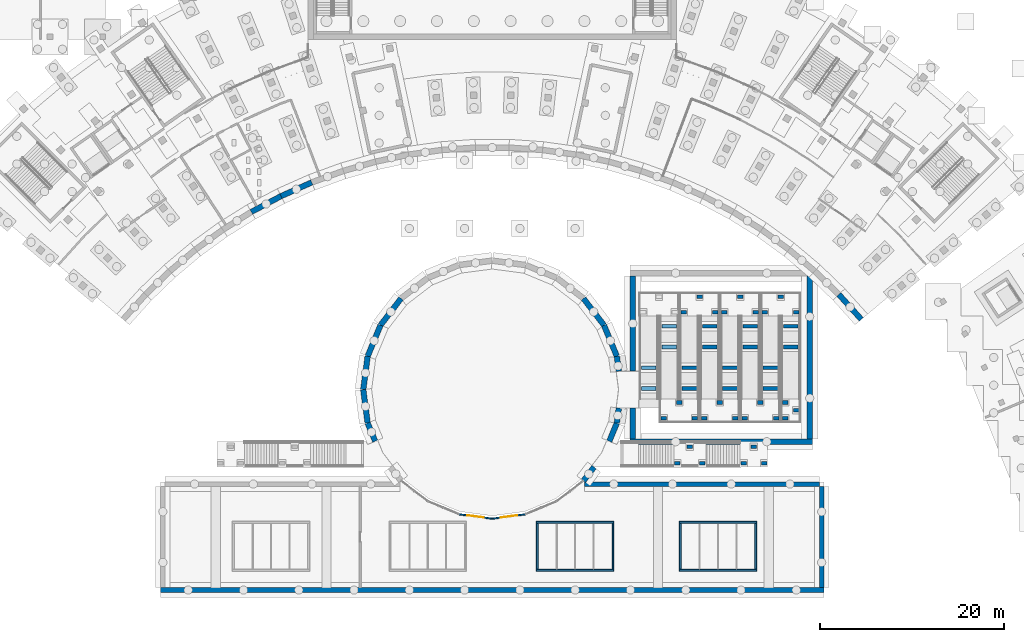
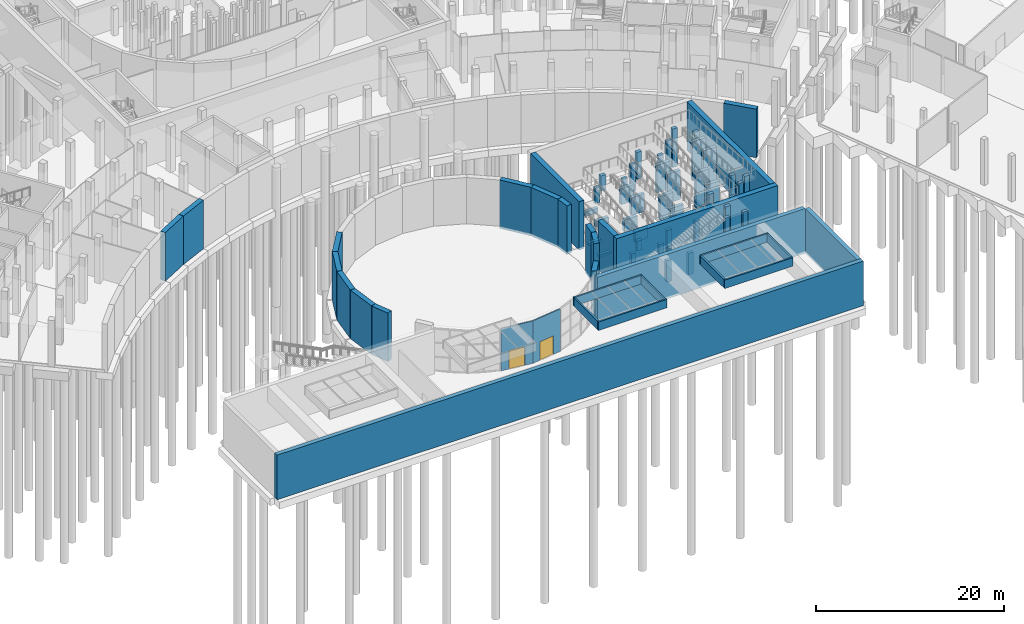
# One storey, part 21 of 66: 74 walls, 2 doors, 2 openings.
"""IFC4 building model written with IfcOpenShell, lengths in metres."""

import ifcopenshell
import ifcopenshell.guid

model = None  # the IFC model being written
_history = None  # IfcOwnerHistory: only IFC2X3 demands one
_inside = {}  # id of a spatial element -> (the spatial element, [elements in it])
_under = {}  # id of a project, library or spatial element -> (it, [spatial elements below it])
_declared = {}  # id of a project -> (the project, [libraries it declares])
_typed = {}  # id of a type object -> (the type object, [elements of that type])
_made_of = {}  # id of a material, layer set ... -> (it, [elements and type objects made of it])


def new_model(schema):
    """Start an empty IFC model of exactly this schema.

    Asked for "IFC4X3", IfcOpenShell would pick the latest addendum, in which some entities
    have other attributes; the version numbers below select the first issue.
    IFC2X3 requires an IfcOwnerHistory on every rooted entity: one is made here for all.
    """
    global model, _history
    if schema == "IFC4X3":
        model = ifcopenshell.file(schema_version=(4, 3, 0, 0))
    else:
        model = ifcopenshell.file(schema=schema)
    _inside.clear()
    _under.clear()
    _declared.clear()
    _typed.clear()
    _made_of.clear()
    _history = None
    if model.schema == "IFC2X3":
        org = make("IfcOrganization", Name="unknown")
        user = make(
            "IfcPersonAndOrganization",
            ThePerson=make("IfcPerson", FamilyName="unknown"),
            TheOrganization=org,
        )
        app = make(
            "IfcApplication",
            ApplicationDeveloper=org,
            Version="unknown",
            ApplicationFullName="unknown",
            ApplicationIdentifier="unknown",
        )
        _history = make(
            "IfcOwnerHistory",
            OwningUser=user,
            OwningApplication=app,
            ChangeAction="ADDED",
            CreationDate=0,
        )
    return model


def make(cls, **values):
    """One entity of the class cls with the attributes given. An attribute that is None is left unset."""
    return model.create_entity(
        cls, **{name: value for name, value in values.items() if value is not None}
    )


def rooted(cls, **values):
    """An entity with a GlobalId (a new one), such as an element, a storey or a relation."""
    return make(cls, GlobalId=ifcopenshell.guid.new(), OwnerHistory=_history, **values)


def si_unit(unit_type, name, prefix=None):
    """IfcSIUnit, for example si_unit("LENGTHUNIT", "METRE", prefix="MILLI")."""
    return make("IfcSIUnit", UnitType=unit_type, Prefix=prefix, Name=name)


def assignment(units):
    """IfcUnitAssignment: the units of a project."""
    return None if units is None else make("IfcUnitAssignment", Units=units)


def point(xyz):
    """IfcCartesianPoint."""
    return None if xyz is None else make("IfcCartesianPoint", Coordinates=xyz)


def direction(xyz):
    """IfcDirection."""
    return None if xyz is None else make("IfcDirection", DirectionRatios=xyz)


def frame(location, z_axis=None, x_axis=None):
    """IfcAxis2Placement3D, a coordinate frame: its origin and axes. An axis left out is left unset."""
    return make(
        "IfcAxis2Placement3D",
        Location=point(location),
        Axis=direction(z_axis),
        RefDirection=direction(x_axis),
    )


def frame_2d(location, x_axis=None):
    """IfcAxis2Placement2D, a coordinate frame in the plane: its origin and x axis."""
    return make(
        "IfcAxis2Placement2D", Location=point(location), RefDirection=direction(x_axis)
    )


def origin():
    """The frame at (0, 0, 0) with its axes left unset."""
    return frame((0.0, 0.0, 0.0))


def place(relative_to, where):
    """IfcLocalPlacement: puts the frame where relative to a parent placement (None: the world)."""
    return make(
        "IfcLocalPlacement", PlacementRelTo=relative_to, RelativePlacement=where
    )


def context(
    kind, dimensions, precision=None, world=None, true_north=None, identifier=None
):
    """IfcGeometricRepresentationContext, for example the 3D "Model" context."""
    return make(
        "IfcGeometricRepresentationContext",
        ContextIdentifier=identifier,
        ContextType=kind,
        CoordinateSpaceDimension=dimensions,
        Precision=precision,
        WorldCoordinateSystem=world,
        TrueNorth=true_north,
    )


def subcontext(parent, identifier, kind, view, scale=None):
    """IfcGeometricRepresentationSubContext, for example "Body" below "Model"."""
    return make(
        "IfcGeometricRepresentationSubContext",
        ContextIdentifier=identifier,
        ContextType=kind,
        ParentContext=parent,
        TargetScale=scale,
        TargetView=view,
    )


def project(units=None, contexts=None):
    """IfcProject with its units and contexts."""
    return rooted(
        "IfcProject",
        Name="project",
        RepresentationContexts=contexts,
        UnitsInContext=assignment(units),
    )


def spatial(cls, under=None, at=None, **own):
    """A site, building, storey or space (cls), placed at a placement, below another one or the project."""
    s = rooted(cls, ObjectPlacement=at, **own)
    if under is not None:
        _under.setdefault(under.id(), (under, []))[1].append(s)
    return s


def profile(cls, at=None, kind="AREA", **sizes):
    """A parametric profile (cls). Its sizes go by their IFC names, for example OverallWidth=200.0."""
    return make(cls, ProfileType=kind, Position=at, **sizes)


def rectangle(**sizes):
    """IfcRectangleProfileDef."""
    return profile("IfcRectangleProfileDef", **sizes)


def extrude(swept, where, along, depth):
    """IfcExtrudedAreaSolid: the profile swept, set in the frame where, extruded along a direction by depth."""
    return make(
        "IfcExtrudedAreaSolid",
        SweptArea=swept,
        Position=where,
        ExtrudedDirection=direction(along),
        Depth=depth,
    )


def shape(context_of_items, identifier, shape_type, items):
    """IfcShapeRepresentation: the items that make up one representation, for example the "Body"."""
    return make(
        "IfcShapeRepresentation",
        ContextOfItems=context_of_items,
        RepresentationIdentifier=identifier,
        RepresentationType=shape_type,
        Items=items,
    )


def material(Name=None, Category=None):
    """IfcMaterial."""
    return make("IfcMaterial", Name=Name, Category=Category)


def layer(
    of_material, thickness, ventilated=None, Name=None, Category=None, Priority=None
):
    """IfcMaterialLayer: one layer of a wall or slab, of a material (None: an air gap)."""
    return make(
        "IfcMaterialLayer",
        Material=of_material,
        LayerThickness=thickness,
        IsVentilated=ventilated,
        Name=Name,
        Category=Category,
        Priority=Priority,
    )


def layer_set(layers, Name=None):
    """IfcMaterialLayerSet."""
    return make("IfcMaterialLayerSet", MaterialLayers=layers, LayerSetName=Name)


def made_of(thing, what):
    """Note that an element or type object is made of a material, layer set ...; save() writes the relation."""
    if what is not None:
        _made_of.setdefault(what.id(), (what, []))[1].append(thing)
    return thing


def type_object(cls, material=None, **own):
    """A type object (cls), such as IfcWallType, which elements share."""
    return made_of(rooted(cls, **own), material)


def element(
    cls,
    number,
    at=None,
    inside=None,
    cuts=None,
    type_object=None,
    material=None,
    context=None,
    identifier="Body",
    shape_type=None,
    held_by="IfcProductDefinitionShape",
    body=None,
    shapes=None,
    **own,
):
    """One element of the class cls, such as IfcWall. Its Tag is "e" and its number.

    at: its placement. inside: the storey or other place that contains it. cuts: it is an
    opening in that element (IfcRelVoidsElement). A single representation is given by context,
    identifier, shape_type and body (its items); several are given by shapes. held_by: the class
    of the entity that holds the representations. save() writes the other relations.
    """
    e = rooted(cls, Tag="e%d" % number, ObjectPlacement=at, **own)
    if body is not None:
        shapes = [shape(context, identifier, shape_type, body)]
    if shapes is not None:
        e.Representation = make(held_by, Representations=shapes)
    if inside is not None:
        _inside.setdefault(inside.id(), (inside, []))[1].append(e)
    if cuts is not None:
        rooted(
            "IfcRelVoidsElement", RelatingBuildingElement=cuts, RelatedOpeningElement=e
        )
    if type_object is not None:
        _typed.setdefault(type_object.id(), (type_object, []))[1].append(e)
    return made_of(e, material)


def fill(opening, filler):
    """IfcRelFillsElement: the door or window that sits in an opening."""
    return rooted(
        "IfcRelFillsElement",
        RelatingOpeningElement=opening,
        RelatedBuildingElement=filler,
    )


def aggregate(whole, parts):
    """IfcRelAggregates: a whole, such as a stair, and the parts it consists of."""
    return rooted("IfcRelAggregates", RelatingObject=whole, RelatedObjects=parts)


def save(model, path):
    """Write the relations noted so far, then the file.

    IfcRelAggregates (storeys below a building ...), IfcRelContainedInSpatialStructure (elements
    in a storey), IfcRelDefinesByType, IfcRelAssociatesMaterial and IfcRelDeclares: one each for
    every whole, place, type object, material and project.
    """
    for whole, parts in _under.values():
        aggregate(whole, parts)
    for where, things in _inside.values():
        rooted(
            "IfcRelContainedInSpatialStructure",
            RelatedElements=things,
            RelatingStructure=where,
        )
    for kind, things in _typed.values():
        rooted("IfcRelDefinesByType", RelatedObjects=things, RelatingType=kind)
    for what, things in _made_of.values():
        rooted("IfcRelAssociatesMaterial", RelatedObjects=things, RelatingMaterial=what)
    for by, libraries in _declared.values():
        rooted("IfcRelDeclares", RelatingContext=by, RelatedDefinitions=libraries)
    model.write(path)


model = new_model("IFC4")

# Units and contexts
model_context = context("Model", 3, precision=1e-05, world=origin(), true_north=direction((0.0, 1.0)))
body_context = subcontext(model_context, "Body", "Model", "MODEL_VIEW")
ifc_project = project(units=[si_unit("LENGTHUNIT", "METRE"), si_unit("AREAUNIT", "SQUARE_METRE"), si_unit("VOLUMEUNIT", "CUBIC_METRE"), si_unit("PLANEANGLEUNIT", "RADIAN"), si_unit("MASSUNIT", "GRAM", prefix="KILO")], contexts=[model_context])

# Site, building, storey
site_placement = place(None, origin())
site = spatial("IfcSite", under=ifc_project, at=site_placement, CompositionType="ELEMENT")
building_placement = place(site_placement, origin())
building = spatial("IfcBuilding", under=site, at=building_placement, Name="Lunette Opera House", CompositionType="ELEMENT")
storey_placement = place(building_placement, frame((0.0, 0.0, -6.0)))
storey = spatial("IfcBuildingStorey", under=building, at=storey_placement, Name="B1", CompositionType="ELEMENT", Elevation=-6.0)

# Wall, opening, door
ifc_material_1 = material(Name="Insulated aluminium sandwich panel", Category="aluminium")
ifc_layer_1 = layer(ifc_material_1, 0.14990234375)
ifc_layer_set_1 = layer_set([ifc_layer_1], Name="Insulated aluminium sandwich panel")
wall_type_1 = type_object("IfcWallType", Name="COURT SCREEN DOOR PIER WALL 150", PredefinedType="SOLIDWALL", material=ifc_layer_set_1)
wall_1_placement = place(storey_placement, frame((99.623046875, 12.47705078125, 0.0), z_axis=(0.0, 0.0, 1.0), x_axis=(-0.991442466905, -0.130544378729, 0.0)))
wall_1 = element("IfcWall", 1, at=wall_1_placement, inside=storey, type_object=wall_type_1, Name="Court Screen Door Pier Wall 150 CSP1 B1", PredefinedType="SOLIDWALL", context=body_context, shape_type="SweptSolid", body=[
    extrude(rectangle(XDim=3.654296875, YDim=0.14990234375, at=frame_2d((1.8271484375, 0.0))), origin(), (0.0, 0.0, 1.0), 5.5),
])
opening_1_placement = place(wall_1_placement, frame((0.927001953125, 0.0, 0.0)))
opening_1 = element("IfcOpeningElement", 2, at=opening_1_placement, cuts=wall_1, Name="Opening SF-D2001", PredefinedType="OPENING", context=body_context, shape_type="SweptSolid", body=[
    extrude(rectangle(XDim=1.800048828125, YDim=2.39990234375, at=frame_2d((0.89990234375, 1.199951171875))), frame((0.0, 0.0869140625, 0.0), z_axis=(0.0, -1.0, 0.0), x_axis=(1.0, 0.0, 0.0)), (0.0, 0.0, 1.0), 0.173828125),
])
ifc_material_2 = material(Name="Powder-coated steel", Category="steel")
door_type = type_object("IfcDoorType", Name="EXIT DOUBLE DOOR 1800 X 2400", OperationType="DOUBLE_DOOR_DOUBLE_SWING", PredefinedType="DOOR", material=ifc_material_2)
door_1_placement = place(opening_1_placement, origin())
door_1 = element("IfcDoor", 3, at=door_1_placement, inside=storey, type_object=door_type, Name="Exit Double Door 1800 X 2400 CSD1 B1", OperationType="DOUBLE_DOOR_DOUBLE_SWING", OverallHeight=2.39990234375, OverallWidth=1.800048828125, PredefinedType="DOOR", context=body_context, shape_type="SweptSolid", body=[
    extrude(rectangle(XDim=1.800048828125, YDim=2.39990234375, at=frame_2d((0.89990234375, 1.199951171875))), frame((0.0, 0.02490234375, 0.0), z_axis=(0.0, -1.0, 0.0), x_axis=(1.0, 0.0, 0.0)), (0.0, 0.0, 1.0), 0.050048828125),
])
fill(opening_1, door_1)

wall_2_placement = place(storey_placement, frame((96.0, 12.0, 0.0), z_axis=(0.0, 0.0, 1.0), x_axis=(-0.991442466905, 0.130544378729, 0.0)))
wall_2 = element("IfcWall", 4, at=wall_2_placement, inside=storey, type_object=wall_type_1, Name="Court Screen Door Pier Wall 150 CSP2 B1", PredefinedType="SOLIDWALL", context=body_context, shape_type="SweptSolid", body=[
    extrude(rectangle(XDim=3.654296875, YDim=0.14990234375, at=frame_2d((1.8271484375, 0.0))), origin(), (0.0, 0.0, 1.0), 5.5),
])
opening_2_placement = place(wall_2_placement, frame((0.927001953125, 0.0, 0.0)))
opening_2 = element("IfcOpeningElement", 5, at=opening_2_placement, cuts=wall_2, Name="Opening SF-D2002", PredefinedType="OPENING", context=body_context, shape_type="SweptSolid", body=[
    extrude(rectangle(XDim=1.800048828125, YDim=2.39990234375, at=frame_2d((0.89990234375, 1.199951171875))), frame((0.0, 0.0869140625, 0.0), z_axis=(0.0, -1.0, 0.0), x_axis=(1.0, 0.0, 0.0)), (0.0, 0.0, 1.0), 0.173828125),
])
door_2_placement = place(opening_2_placement, origin())
door_2 = element("IfcDoor", 6, at=door_2_placement, inside=storey, type_object=door_type, Name="Exit Double Door 1800 X 2400 CSD2 B1", OperationType="DOUBLE_DOOR_DOUBLE_SWING", OverallHeight=2.39990234375, OverallWidth=1.800048828125, PredefinedType="DOOR", context=body_context, shape_type="SweptSolid", body=[
    extrude(rectangle(XDim=1.800048828125, YDim=2.39990234375, at=frame_2d((0.89990234375, 1.199951171875))), frame((0.0, 0.02490234375, 0.0), z_axis=(0.0, -1.0, 0.0), x_axis=(1.0, 0.0, 0.0)), (0.0, 0.0, 1.0), 0.050048828125),
])
fill(opening_2, door_2)

# Walls
ifc_material_3 = material(Name="Concrete C35/45", Category="concrete")
ifc_layer_2 = layer(ifc_material_3, 0.39990234375)
ifc_layer_set_2 = layer_set([ifc_layer_2], Name="Concrete C35/45")
wall_type_2 = type_object("IfcWallType", Name="RAMP PIER WALL 400", PredefinedType="SOLIDWALL", material=ifc_layer_set_2)
wall_3_placement = place(storey_placement, frame((115.800048828125, 18.0, 0.0), z_axis=(0.0, 0.0, 1.0), x_axis=(1.0, 0.0, 0.0)))
element("IfcWall", 7, at=wall_3_placement, inside=storey, type_object=wall_type_2, Name="Bearing pier FS2-L1-P1", PredefinedType="SOLIDWALL", context=body_context, shape_type="SweptSolid", body=[
    extrude(rectangle(XDim=0.599853515625, YDim=0.39990234375, at=frame_2d((0.2998046875, 0.0))), origin(), (0.0, 0.0, 1.0), 2.800048828125),
])
for number, where, z_axis, x_axis, name in (
    (8, (118.5, 18.0, 0.0), (0.0, 0.0, 1.0), (1.0, 0.0, 0.0), "Bearing pier FS2-L1-P2"),
    (9, (117.14990234375, 19.800048828125, 0.0), (0.0, 0.0, 1.0), (1.0, 0.0, 0.0), "Bearing pier FS2-L1-P3"),
):
    element("IfcWall", number, at=place(storey_placement, frame(where, z_axis=z_axis, x_axis=x_axis)), inside=storey, type_object=wall_type_2, Name=name, PredefinedType="SOLIDWALL", context=body_context, shape_type="SweptSolid", body=[
        extrude(rectangle(XDim=0.60009765625, YDim=0.39990234375, at=frame_2d((0.300048828125, 0.0))), origin(), (0.0, 0.0, 1.0), 2.800048828125),
    ])
for number, where, z_axis, x_axis, name in (
    (10, (123.0, 18.0, 0.0), (0.0, 0.0, 1.0), (1.0, 0.0, 0.0), "Bearing pier FS2-L2-P1"),
    (11, (125.199951171875, 18.0, 0.0), (0.0, 0.0, 1.0), (1.0, 0.0, 0.0), "Bearing pier FS2-L2-P2"),
):
    element("IfcWall", number, at=place(storey_placement, frame(where, z_axis=z_axis, x_axis=x_axis)), inside=storey, type_object=wall_type_2, Name=name, PredefinedType="SOLIDWALL", context=body_context, shape_type="SweptSolid", body=[
        extrude(rectangle(XDim=0.60009765625, YDim=0.39990234375, at=frame_2d((0.300048828125, 0.0))), origin(), (0.0, 0.0, 1.0), 5.800048828125),
    ])
wall_4_placement = place(storey_placement, frame((124.10009765625, 19.800048828125, 0.0), z_axis=(0.0, 0.0, 1.0), x_axis=(1.0, 0.0, 0.0)))
element("IfcWall", 12, at=wall_4_placement, inside=storey, type_object=wall_type_2, Name="Bearing pier FS2-L2-P3", PredefinedType="SOLIDWALL", context=body_context, shape_type="SweptSolid", body=[
    extrude(rectangle(XDim=0.599853515625, YDim=0.39990234375, at=frame_2d((0.2998046875, 0.0))), origin(), (0.0, 0.0, 1.0), 5.800048828125),
])
for number, where, z_axis, x_axis, name in (
    (13, (112.199951171875, 26.125, -0.45703125), (0.0, 0.0, 1.0), (1.0, 0.0, 0.0), "Bearing pier FR1-R1"),
    (14, (112.199951171875, 28.375, -0.27001953125), (0.0, 0.0, 1.0), (1.0, 0.0, 0.0), "Bearing pier FR1-R2"),
):
    element("IfcWall", number, at=place(storey_placement, frame(where, z_axis=z_axis, x_axis=x_axis)), inside=storey, type_object=wall_type_2, Name=name, PredefinedType="SOLIDWALL", context=body_context, shape_type="SweptSolid", body=[
        extrude(rectangle(XDim=1.60009765625, YDim=0.39990234375, at=frame_2d((0.800048828125, 0.0))), origin(), (0.0, 0.0, 1.0), 0.300048828125),
    ])
wall_5_placement = place(storey_placement, frame((114.39990234375, 32.875, 0.0), z_axis=(0.0, 0.0, 1.0), x_axis=(1.0, 0.0, 0.0)))
element("IfcWall", 15, at=wall_5_placement, inside=storey, type_object=wall_type_2, Name="Bearing pier FR2-R1", PredefinedType="SOLIDWALL", context=body_context, shape_type="SweptSolid", body=[
    extrude(rectangle(XDim=1.60009765625, YDim=0.39990234375, at=frame_2d((0.800048828125, 0.0))), origin(), (0.0, 0.0, 1.0), 0.593017578125),
])
wall_6_placement = place(storey_placement, frame((114.39990234375, 30.625, 0.0), z_axis=(0.0, 0.0, 1.0), x_axis=(1.0, 0.0, 0.0)))
element("IfcWall", 16, at=wall_6_placement, inside=storey, type_object=wall_type_2, Name="Bearing pier FR2-R2", PredefinedType="SOLIDWALL", context=body_context, shape_type="SweptSolid", body=[
    extrude(rectangle(XDim=1.60009765625, YDim=0.39990234375, at=frame_2d((0.800048828125, 0.0))), origin(), (0.0, 0.0, 1.0), 0.780029296875),
])
wall_7_placement = place(storey_placement, frame((114.300048828125, 22.89990234375, 0.0), z_axis=(0.0, 0.0, 1.0), x_axis=(1.0, 0.0, 0.0)))
element("IfcWall", 17, at=wall_7_placement, inside=storey, type_object=wall_type_2, Name="Bearing pier FR2-L-P1", PredefinedType="SOLIDWALL", context=body_context, shape_type="SweptSolid", body=[
    extrude(rectangle(XDim=0.599853515625, YDim=0.39990234375, at=frame_2d((0.2998046875, 0.0))), origin(), (0.0, 0.0, 1.0), 1.25),
])
for number, where, z_axis, x_axis, name in (
    (18, (117.699951171875, 22.89990234375, 0.0), (0.0, 0.0, 1.0), (1.0, 0.0, 0.0), "Bearing pier FR2-L-P2"),
    (19, (116.0, 24.60009765625, 0.0), (0.0, 0.0, 1.0), (1.0, 0.0, 0.0), "Bearing pier FR2-L-P3"),
):
    element("IfcWall", number, at=place(storey_placement, frame(where, z_axis=z_axis, x_axis=x_axis)), inside=storey, type_object=wall_type_2, Name=name, PredefinedType="SOLIDWALL", context=body_context, shape_type="SweptSolid", body=[
        extrude(rectangle(XDim=0.60009765625, YDim=0.39990234375, at=frame_2d((0.300048828125, 0.0))), origin(), (0.0, 0.0, 1.0), 1.25),
    ])
wall_8_placement = place(storey_placement, frame((116.60009765625, 26.125, 0.0), z_axis=(0.0, 0.0, 1.0), x_axis=(1.0, 0.0, 0.0)))
element("IfcWall", 20, at=wall_8_placement, inside=storey, type_object=wall_type_2, Name="Bearing pier FR3-R1", PredefinedType="SOLIDWALL", context=body_context, shape_type="SweptSolid", body=[
    extrude(rectangle(XDim=1.599853515625, YDim=0.39990234375, at=frame_2d((0.7998046875, 0.0))), origin(), (0.0, 0.0, 1.0), 1.343017578125),
])
wall_9_placement = place(storey_placement, frame((116.60009765625, 28.375, 0.0), z_axis=(0.0, 0.0, 1.0), x_axis=(1.0, 0.0, 0.0)))
element("IfcWall", 21, at=wall_9_placement, inside=storey, type_object=wall_type_2, Name="Bearing pier FR3-R2", PredefinedType="SOLIDWALL", context=body_context, shape_type="SweptSolid", body=[
    extrude(rectangle(XDim=1.599853515625, YDim=0.39990234375, at=frame_2d((0.7998046875, 0.0))), origin(), (0.0, 0.0, 1.0), 1.530029296875),
])
for number, where, z_axis, x_axis, name in (
    (22, (116.5, 34.39990234375, 0.0), (0.0, 0.0, 1.0), (1.0, 0.0, 0.0), "Bearing pier FR3-L-P1"),
    (23, (119.89990234375, 34.39990234375, 0.0), (0.0, 0.0, 1.0), (1.0, 0.0, 0.0), "Bearing pier FR3-L-P2"),
    (24, (118.199951171875, 36.10009765625, 0.0), (0.0, 0.0, 1.0), (1.0, 0.0, 0.0), "Bearing pier FR3-L-P3"),
):
    element("IfcWall", number, at=place(storey_placement, frame(where, z_axis=z_axis, x_axis=x_axis)), inside=storey, type_object=wall_type_2, Name=name, PredefinedType="SOLIDWALL", context=body_context, shape_type="SweptSolid", body=[
        extrude(rectangle(XDim=0.60009765625, YDim=0.39990234375, at=frame_2d((0.300048828125, 0.0))), origin(), (0.0, 0.0, 1.0), 2.0),
    ])
wall_10_placement = place(storey_placement, frame((118.800048828125, 32.875, 0.0), z_axis=(0.0, 0.0, 1.0), x_axis=(1.0, 0.0, 0.0)))
element("IfcWall", 25, at=wall_10_placement, inside=storey, type_object=wall_type_2, Name="Bearing pier FR4-R1", PredefinedType="SOLIDWALL", context=body_context, shape_type="SweptSolid", body=[
    extrude(rectangle(XDim=1.599853515625, YDim=0.39990234375, at=frame_2d((0.7998046875, 0.0))), origin(), (0.0, 0.0, 1.0), 2.093017578125),
])
wall_11_placement = place(storey_placement, frame((118.800048828125, 30.625, 0.0), z_axis=(0.0, 0.0, 1.0), x_axis=(1.0, 0.0, 0.0)))
element("IfcWall", 26, at=wall_11_placement, inside=storey, type_object=wall_type_2, Name="Bearing pier FR4-R2", PredefinedType="SOLIDWALL", context=body_context, shape_type="SweptSolid", body=[
    extrude(rectangle(XDim=1.599853515625, YDim=0.39990234375, at=frame_2d((0.7998046875, 0.0))), origin(), (0.0, 0.0, 1.0), 2.280029296875),
])
wall_12_placement = place(storey_placement, frame((118.699951171875, 22.89990234375, 0.0), z_axis=(0.0, 0.0, 1.0), x_axis=(1.0, 0.0, 0.0)))
element("IfcWall", 27, at=wall_12_placement, inside=storey, type_object=wall_type_2, Name="Bearing pier FR4-L-P1", PredefinedType="SOLIDWALL", context=body_context, shape_type="SweptSolid", body=[
    extrude(rectangle(XDim=0.60009765625, YDim=0.39990234375, at=frame_2d((0.300048828125, 0.0))), origin(), (0.0, 0.0, 1.0), 2.75),
])
wall_13_placement = place(storey_placement, frame((122.10009765625, 22.89990234375, 0.0), z_axis=(0.0, 0.0, 1.0), x_axis=(1.0, 0.0, 0.0)))
element("IfcWall", 28, at=wall_13_placement, inside=storey, type_object=wall_type_2, Name="Bearing pier FR4-L-P2", PredefinedType="SOLIDWALL", context=body_context, shape_type="SweptSolid", body=[
    extrude(rectangle(XDim=0.599853515625, YDim=0.39990234375, at=frame_2d((0.2998046875, 0.0))), origin(), (0.0, 0.0, 1.0), 2.75),
])
wall_14_placement = place(storey_placement, frame((120.39990234375, 24.60009765625, 0.0), z_axis=(0.0, 0.0, 1.0), x_axis=(1.0, 0.0, 0.0)))
element("IfcWall", 29, at=wall_14_placement, inside=storey, type_object=wall_type_2, Name="Bearing pier FR4-L-P3", PredefinedType="SOLIDWALL", context=body_context, shape_type="SweptSolid", body=[
    extrude(rectangle(XDim=0.60009765625, YDim=0.39990234375, at=frame_2d((0.300048828125, 0.0))), origin(), (0.0, 0.0, 1.0), 2.75),
])
wall_15_placement = place(storey_placement, frame((121.0, 26.125, 0.0), z_axis=(0.0, 0.0, 1.0), x_axis=(1.0, 0.0, 0.0)))
element("IfcWall", 30, at=wall_15_placement, inside=storey, type_object=wall_type_2, Name="Bearing pier FR5-R1", PredefinedType="SOLIDWALL", context=body_context, shape_type="SweptSolid", body=[
    extrude(rectangle(XDim=1.60009765625, YDim=0.39990234375, at=frame_2d((0.800048828125, 0.0))), origin(), (0.0, 0.0, 1.0), 2.843017578125),
])
wall_16_placement = place(storey_placement, frame((121.0, 28.375, 0.0), z_axis=(0.0, 0.0, 1.0), x_axis=(1.0, 0.0, 0.0)))
element("IfcWall", 31, at=wall_16_placement, inside=storey, type_object=wall_type_2, Name="Bearing pier FR5-R2", PredefinedType="SOLIDWALL", context=body_context, shape_type="SweptSolid", body=[
    extrude(rectangle(XDim=1.60009765625, YDim=0.39990234375, at=frame_2d((0.800048828125, 0.0))), origin(), (0.0, 0.0, 1.0), 3.030029296875),
])
wall_17_placement = place(storey_placement, frame((120.89990234375, 34.39990234375, 0.0), z_axis=(0.0, 0.0, 1.0), x_axis=(1.0, 0.0, 0.0)))
element("IfcWall", 32, at=wall_17_placement, inside=storey, type_object=wall_type_2, Name="Bearing pier FR5-L-P1", PredefinedType="SOLIDWALL", context=body_context, shape_type="SweptSolid", body=[
    extrude(rectangle(XDim=0.60009765625, YDim=0.39990234375, at=frame_2d((0.300048828125, 0.0))), origin(), (0.0, 0.0, 1.0), 3.5),
])
for number, where, z_axis, x_axis, name in (
    (33, (124.300048828125, 34.39990234375, 0.0), (0.0, 0.0, 1.0), (1.0, 0.0, 0.0), "Bearing pier FR5-L-P2"),
    (34, (122.60009765625, 36.10009765625, 0.0), (0.0, 0.0, 1.0), (1.0, 0.0, 0.0), "Bearing pier FR5-L-P3"),
):
    element("IfcWall", number, at=place(storey_placement, frame(where, z_axis=z_axis, x_axis=x_axis)), inside=storey, type_object=wall_type_2, Name=name, PredefinedType="SOLIDWALL", context=body_context, shape_type="SweptSolid", body=[
        extrude(rectangle(XDim=0.599853515625, YDim=0.39990234375, at=frame_2d((0.2998046875, 0.0))), origin(), (0.0, 0.0, 1.0), 3.5),
    ])
wall_18_placement = place(storey_placement, frame((123.199951171875, 32.875, 0.0), z_axis=(0.0, 0.0, 1.0), x_axis=(1.0, 0.0, 0.0)))
element("IfcWall", 35, at=wall_18_placement, inside=storey, type_object=wall_type_2, Name="Bearing pier FR6-R1", PredefinedType="SOLIDWALL", context=body_context, shape_type="SweptSolid", body=[
    extrude(rectangle(XDim=1.60009765625, YDim=0.39990234375, at=frame_2d((0.800048828125, 0.0))), origin(), (0.0, 0.0, 1.0), 3.593017578125),
])
wall_19_placement = place(storey_placement, frame((123.199951171875, 30.625, 0.0), z_axis=(0.0, 0.0, 1.0), x_axis=(1.0, 0.0, 0.0)))
element("IfcWall", 36, at=wall_19_placement, inside=storey, type_object=wall_type_2, Name="Bearing pier FR6-R2", PredefinedType="SOLIDWALL", context=body_context, shape_type="SweptSolid", body=[
    extrude(rectangle(XDim=1.60009765625, YDim=0.39990234375, at=frame_2d((0.800048828125, 0.0))), origin(), (0.0, 0.0, 1.0), 3.780029296875),
])
wall_20_placement = place(storey_placement, frame((123.10009765625, 22.89990234375, 0.0), z_axis=(0.0, 0.0, 1.0), x_axis=(1.0, 0.0, 0.0)))
element("IfcWall", 37, at=wall_20_placement, inside=storey, type_object=wall_type_2, Name="Bearing pier FR6-L-P1", PredefinedType="SOLIDWALL", context=body_context, shape_type="SweptSolid", body=[
    extrude(rectangle(XDim=0.599853515625, YDim=0.39990234375, at=frame_2d((0.2998046875, 0.0))), origin(), (0.0, 0.0, 1.0), 4.25),
])
wall_21_placement = place(storey_placement, frame((126.5, 22.89990234375, 0.0), z_axis=(0.0, 0.0, 1.0), x_axis=(1.0, 0.0, 0.0)))
element("IfcWall", 38, at=wall_21_placement, inside=storey, type_object=wall_type_2, Name="Bearing pier FR6-L-P2", PredefinedType="SOLIDWALL", context=body_context, shape_type="SweptSolid", body=[
    extrude(rectangle(XDim=0.60009765625, YDim=0.39990234375, at=frame_2d((0.300048828125, 0.0))), origin(), (0.0, 0.0, 1.0), 4.25),
])
wall_22_placement = place(storey_placement, frame((124.800048828125, 24.60009765625, 0.0), z_axis=(0.0, 0.0, 1.0), x_axis=(1.0, 0.0, 0.0)))
element("IfcWall", 39, at=wall_22_placement, inside=storey, type_object=wall_type_2, Name="Bearing pier FR6-L-P3", PredefinedType="SOLIDWALL", context=body_context, shape_type="SweptSolid", body=[
    extrude(rectangle(XDim=0.599853515625, YDim=0.39990234375, at=frame_2d((0.2998046875, 0.0))), origin(), (0.0, 0.0, 1.0), 4.25),
])
wall_23_placement = place(storey_placement, frame((125.39990234375, 26.125, 0.0), z_axis=(0.0, 0.0, 1.0), x_axis=(1.0, 0.0, 0.0)))
element("IfcWall", 40, at=wall_23_placement, inside=storey, type_object=wall_type_2, Name="Bearing pier FR7-R1", PredefinedType="SOLIDWALL", context=body_context, shape_type="SweptSolid", body=[
    extrude(rectangle(XDim=1.60009765625, YDim=0.39990234375, at=frame_2d((0.800048828125, 0.0))), origin(), (0.0, 0.0, 1.0), 4.343017578125),
])
wall_24_placement = place(storey_placement, frame((125.39990234375, 28.375, 0.0), z_axis=(0.0, 0.0, 1.0), x_axis=(1.0, 0.0, 0.0)))
element("IfcWall", 41, at=wall_24_placement, inside=storey, type_object=wall_type_2, Name="Bearing pier FR7-R2", PredefinedType="SOLIDWALL", context=body_context, shape_type="SweptSolid", body=[
    extrude(rectangle(XDim=1.60009765625, YDim=0.39990234375, at=frame_2d((0.800048828125, 0.0))), origin(), (0.0, 0.0, 1.0), 4.530029296875),
])
wall_25_placement = place(storey_placement, frame((125.300048828125, 34.39990234375, 0.0), z_axis=(0.0, 0.0, 1.0), x_axis=(1.0, 0.0, 0.0)))
element("IfcWall", 42, at=wall_25_placement, inside=storey, type_object=wall_type_2, Name="Bearing pier FR7-L-P1", PredefinedType="SOLIDWALL", context=body_context, shape_type="SweptSolid", body=[
    extrude(rectangle(XDim=0.599853515625, YDim=0.39990234375, at=frame_2d((0.2998046875, 0.0))), origin(), (0.0, 0.0, 1.0), 5.0),
])
for number, where, z_axis, x_axis, name in (
    (43, (128.699951171875, 34.39990234375, 0.0), (0.0, 0.0, 1.0), (1.0, 0.0, 0.0), "Bearing pier FR7-L-P2"),
    (44, (127.0, 36.10009765625, 0.0), (0.0, 0.0, 1.0), (1.0, 0.0, 0.0), "Bearing pier FR7-L-P3"),
):
    element("IfcWall", number, at=place(storey_placement, frame(where, z_axis=z_axis, x_axis=x_axis)), inside=storey, type_object=wall_type_2, Name=name, PredefinedType="SOLIDWALL", context=body_context, shape_type="SweptSolid", body=[
        extrude(rectangle(XDim=0.60009765625, YDim=0.39990234375, at=frame_2d((0.300048828125, 0.0))), origin(), (0.0, 0.0, 1.0), 5.0),
    ])
wall_26_placement = place(storey_placement, frame((127.60009765625, 32.875, 0.0), z_axis=(0.0, 0.0, 1.0), x_axis=(1.0, 0.0, 0.0)))
element("IfcWall", 45, at=wall_26_placement, inside=storey, type_object=wall_type_2, Name="Bearing pier FR8-R1", PredefinedType="SOLIDWALL", context=body_context, shape_type="SweptSolid", body=[
    extrude(rectangle(XDim=1.599853515625, YDim=0.39990234375, at=frame_2d((0.7998046875, 0.0))), origin(), (0.0, 0.0, 1.0), 5.093017578125),
])
wall_27_placement = place(storey_placement, frame((127.60009765625, 30.625, 0.0), z_axis=(0.0, 0.0, 1.0), x_axis=(1.0, 0.0, 0.0)))
element("IfcWall", 46, at=wall_27_placement, inside=storey, type_object=wall_type_2, Name="Bearing pier FR8-R2", PredefinedType="SOLIDWALL", context=body_context, shape_type="SweptSolid", body=[
    extrude(rectangle(XDim=1.599853515625, YDim=0.39990234375, at=frame_2d((0.7998046875, 0.0))), origin(), (0.0, 0.0, 1.0), 5.280029296875),
])
for number, where, z_axis, x_axis, name in (
    (47, (127.5, 22.89990234375, 0.0), (0.0, 0.0, 1.0), (1.0, 0.0, 0.0), "Bearing pier FR8-L-P1"),
    (48, (127.5, 24.60009765625, 0.0), (0.0, 0.0, 1.0), (1.0, 0.0, 0.0), "Bearing pier FR8-L-P2"),
    (49, (128.699951171875, 23.75, 0.0), (0.0, 0.0, 1.0), (1.0, 0.0, 0.0), "Bearing pier FR8-L-P3"),
):
    element("IfcWall", number, at=place(storey_placement, frame(where, z_axis=z_axis, x_axis=x_axis)), inside=storey, type_object=wall_type_2, Name=name, PredefinedType="SOLIDWALL", context=body_context, shape_type="SweptSolid", body=[
        extrude(rectangle(XDim=0.60009765625, YDim=0.39990234375, at=frame_2d((0.300048828125, 0.0))), origin(), (0.0, 0.0, 1.0), 5.75),
    ])
ifc_material_4 = material(Name="Concrete C35/45", Category="concrete")
ifc_layer_3 = layer(ifc_material_4, 0.5)
ifc_layer_set_3 = layer_set([ifc_layer_3], Name="Concrete C35/45")
wall_type_3 = type_object("IfcWallType", Name="RC WALL 500", PredefinedType="SHEAR", material=ifc_layer_set_3)
wall_28_placement = place(storey_placement, frame((60.0, 4.25, -0.300048828125), z_axis=(0.0, 0.0, 1.0), x_axis=(1.0, 0.0, 0.0)))
element("IfcWall", 50, at=wall_28_placement, inside=storey, type_object=wall_type_3, Name="wall-SF-B1-CNS-1", PredefinedType="SHEAR", context=body_context, shape_type="SweptSolid", body=[
    extrude(rectangle(XDim=72.0, YDim=0.5, at=frame_2d((36.0, 0.0))), origin(), (0.0, 0.0, 1.0), 5.800048828125),
])
wall_29_placement = place(storey_placement, frame((131.75, 4.5, -0.300048828125), z_axis=(0.0, 0.0, 1.0), x_axis=(0.0, 1.0, 0.0)))
element("IfcWall", 51, at=wall_29_placement, inside=storey, type_object=wall_type_3, Name="wall-SF-B1-CNE-1", PredefinedType="SHEAR", context=body_context, shape_type="SweptSolid", body=[
    extrude(rectangle(XDim=11.0, YDim=0.5, at=frame_2d((5.5, 0.0))), origin(), (0.0, 0.0, 1.0), 5.800048828125),
])
wall_30_placement = place(storey_placement, frame((106.0, 15.75, -0.300048828125), z_axis=(0.0, 0.0, 1.0), x_axis=(1.0, 0.0, 0.0)))
element("IfcWall", 52, at=wall_30_placement, inside=storey, type_object=wall_type_3, Name="wall-SF-B1-CNNE-1", PredefinedType="SHEAR", context=body_context, shape_type="SweptSolid", body=[
    extrude(rectangle(XDim=25.5, YDim=0.5, at=frame_2d((12.75, 0.0))), origin(), (0.0, 0.0, 1.0), 5.800048828125),
])
ifc_material_5 = material(Name="Concrete C40/50", Category="concrete")
ifc_layer_4 = layer(ifc_material_5, 0.60009765625)
ifc_layer_set_4 = layer_set([ifc_layer_4], Name="Concrete C40/50")
wall_type_4 = type_object("IfcWallType", Name="RETAINING WALL 600", PredefinedType="SOLIDWALL", material=ifc_layer_set_4)
wall_31_placement = place(storey_placement, frame((69.85009765625, 45.29296875, -0.300048828125), z_axis=(0.0, 0.0, 1.0), x_axis=(0.882894807692, 0.469570823786, 0.0)))
element("IfcWall", 53, at=wall_31_placement, inside=storey, type_object=wall_type_4, Name="wall-FC-B1-BW06", PredefinedType="SOLIDWALL", context=body_context, shape_type="SweptSolid", body=[
    extrude(rectangle(XDim=3.650390625, YDim=0.60009765625, at=frame_2d((1.8251953125, 0.0))), origin(), (0.0, 0.0, 1.0), 6.300048828125),
])
wall_32_placement = place(storey_placement, frame((73.072998046875, 47.007080078125, -0.300048828125), z_axis=(0.0, 0.0, 1.0), x_axis=(0.913541080102, 0.40674647505, 0.0)))
element("IfcWall", 54, at=wall_32_placement, inside=storey, type_object=wall_type_4, Name="wall-FC-B1-BW07", PredefinedType="SOLIDWALL", context=body_context, shape_type="SweptSolid", body=[
    extrude(rectangle(XDim=3.650634765625, YDim=0.60009765625, at=frame_2d((1.8251953125, 0.0))), origin(), (0.0, 0.0, 1.0), 6.300048828125),
])
wall_33_placement = place(storey_placement, frame((133.62109375, 36.3310546875, -0.300048828125), z_axis=(0.0, 0.0, 1.0), x_axis=(0.669123584083, -0.743151148303, 0.0)))
element("IfcWall", 55, at=wall_33_placement, inside=storey, type_object=wall_type_4, Name="wall-FC-B1-BW25", PredefinedType="SOLIDWALL", context=body_context, shape_type="SweptSolid", body=[
    extrude(rectangle(XDim=3.65087890625, YDim=0.60009765625, at=frame_2d((1.825439453125, 0.0))), origin(), (0.0, 0.0, 1.0), 6.300048828125),
])
wall_34_placement = place(storey_placement, frame((105.89892578125, 35.89892578125, -0.300048828125), z_axis=(0.0, 0.0, 1.0), x_axis=(0.608877449785, -0.793264300938, 0.0)))
element("IfcWall", 56, at=wall_34_placement, inside=storey, type_object=wall_type_4, Name="wall-SF-B1-CW04", PredefinedType="SOLIDWALL", context=body_context, shape_type="SweptSolid", body=[
    extrude(rectangle(XDim=3.654541015625, YDim=0.60009765625, at=frame_2d((1.8271484375, 0.0))), origin(), (0.0, 0.0, 1.0), 6.300048828125),
])
wall_35_placement = place(storey_placement, frame((108.1240234375, 33.0, -0.300048828125), z_axis=(0.0, 0.0, 1.0), x_axis=(0.382717524649, -0.923865410288, 0.0)))
element("IfcWall", 57, at=wall_35_placement, inside=storey, type_object=wall_type_4, Name="wall-SF-B1-CW05", PredefinedType="SOLIDWALL", context=body_context, shape_type="SweptSolid", body=[
    extrude(rectangle(XDim=3.6552734375, YDim=0.60009765625, at=frame_2d((1.82763671875, 0.0))), origin(), (0.0, 0.0, 1.0), 6.300048828125),
])
for number, where, z_axis, x_axis, name in (
    (58, (109.52294921875, 29.623046875, -0.300048828125), (0.0, 0.0, 1.0), (0.130786264329, -0.991410587528, 0.0), "wall-SF-B1-CW06"),
    (59, (109.737060546875, 24.0, -0.300048828125), (0.0, 0.0, 1.0), (-0.130786264329, -0.991410587528, 0.0), "wall-SF-B1-CW07"),
):
    element("IfcWall", number, at=place(storey_placement, frame(where, z_axis=z_axis, x_axis=x_axis)), inside=storey, type_object=wall_type_4, Name=name, PredefinedType="SOLIDWALL", context=body_context, shape_type="SweptSolid", body=[
        extrude(rectangle(XDim=1.63720703125, YDim=0.60009765625, at=frame_2d((0.818603515625, 0.0))), origin(), (0.0, 0.0, 1.0), 6.300048828125),
    ])
wall_36_placement = place(storey_placement, frame((109.52294921875, 22.376953125, -0.300048828125), z_axis=(0.0, 0.0, 1.0), x_axis=(-0.382654078819, -0.923891690602, 0.0)))
element("IfcWall", 60, at=wall_36_placement, inside=storey, type_object=wall_type_4, Name="wall-SF-B1-CW08", PredefinedType="SOLIDWALL", context=body_context, shape_type="SweptSolid", body=[
    extrude(rectangle(XDim=2.139892578125, YDim=0.60009765625, at=frame_2d((1.06982421875, 0.0))), origin(), (0.0, 0.0, 1.0), 6.300048828125),
])
wall_37_placement = place(storey_placement, frame((107.049072265625, 17.60009765625, -0.300048828125), z_axis=(0.0, 0.0, 1.0), x_axis=(-0.608729896814, -0.793377534799, 0.0)))
element("IfcWall", 61, at=wall_37_placement, inside=storey, type_object=wall_type_4, Name="wall-SF-B1-CW09", PredefinedType="SOLIDWALL", context=body_context, shape_type="SweptSolid", body=[
    extrude(rectangle(XDim=1.889404296875, YDim=0.60009765625, at=frame_2d((0.94482421875, 0.0))), origin(), (0.0, 0.0, 1.0), 6.300048828125),
])
wall_38_placement = place(storey_placement, frame((83.2958984375, 20.39990234375, -0.300048828125), z_axis=(0.0, 0.0, 1.0), x_axis=(-0.382654078819, 0.923891690602, 0.0)))
element("IfcWall", 62, at=wall_38_placement, inside=storey, type_object=wall_type_4, Name="wall-SF-B1-CW17", PredefinedType="SOLIDWALL", context=body_context, shape_type="SweptSolid", body=[
    extrude(rectangle(XDim=2.139892578125, YDim=0.60009765625, at=frame_2d((1.06982421875, 0.0))), origin(), (0.0, 0.0, 1.0), 6.300048828125),
])
for number, where, z_axis, x_axis, name in (
    (63, (82.47705078125, 22.376953125, -0.300048828125), (0.0, 0.0, 1.0), (-0.130544378729, 0.991442466905, 0.0), "wall-SF-B1-CW18"),
    (64, (82.0, 26.0, -0.300048828125), (0.0, 0.0, 1.0), (0.130544378729, 0.991442466905, 0.0), "wall-SF-B1-CW19"),
):
    element("IfcWall", number, at=place(storey_placement, frame(where, z_axis=z_axis, x_axis=x_axis)), inside=storey, type_object=wall_type_4, Name=name, PredefinedType="SOLIDWALL", context=body_context, shape_type="SweptSolid", body=[
        extrude(rectangle(XDim=3.654296875, YDim=0.60009765625, at=frame_2d((1.8271484375, 0.0))), origin(), (0.0, 0.0, 1.0), 6.300048828125),
    ])
wall_39_placement = place(storey_placement, frame((82.47705078125, 29.623046875, -0.300048828125), z_axis=(0.0, 0.0, 1.0), x_axis=(0.382717524649, 0.923865410288, 0.0)))
element("IfcWall", 65, at=wall_39_placement, inside=storey, type_object=wall_type_4, Name="wall-SF-B1-CW20", PredefinedType="SOLIDWALL", context=body_context, shape_type="SweptSolid", body=[
    extrude(rectangle(XDim=3.6552734375, YDim=0.60009765625, at=frame_2d((1.82763671875, 0.0))), origin(), (0.0, 0.0, 1.0), 6.300048828125),
])
wall_40_placement = place(storey_placement, frame((83.8759765625, 33.0, -0.300048828125), z_axis=(0.0, 0.0, 1.0), x_axis=(0.608877449785, 0.793264300938, 0.0)))
element("IfcWall", 66, at=wall_40_placement, inside=storey, type_object=wall_type_4, Name="wall-SF-B1-CW21", PredefinedType="SOLIDWALL", context=body_context, shape_type="SweptSolid", body=[
    extrude(rectangle(XDim=3.654541015625, YDim=0.60009765625, at=frame_2d((1.8271484375, 0.0))), origin(), (0.0, 0.0, 1.0), 6.300048828125),
])
wall_41_placement = place(storey_placement, frame((110.949951171875, 20.35009765625, -0.300048828125), z_axis=(0.0, 0.0, 1.0), x_axis=(1.0, 0.0, 0.0)))
element("IfcWall", 67, at=wall_41_placement, inside=storey, type_object=wall_type_4, Name="wall-SF-B1-RPS", PredefinedType="SOLIDWALL", context=body_context, shape_type="SweptSolid", body=[
    extrude(rectangle(XDim=19.800048828125, YDim=0.60009765625, at=frame_2d((9.89990234375, 0.0))), origin(), (0.0, 0.0, 1.0), 6.300048828125),
])
wall_42_placement = place(storey_placement, frame((130.449951171875, 20.64990234375, -0.300048828125), z_axis=(0.0, 0.0, 1.0), x_axis=(0.0, 1.0, 0.0)))
element("IfcWall", 68, at=wall_42_placement, inside=storey, type_object=wall_type_4, Name="wall-SF-B1-RPE", PredefinedType="SOLIDWALL", context=body_context, shape_type="SweptSolid", body=[
    extrude(rectangle(XDim=17.7001953125, YDim=0.60009765625, at=frame_2d((8.85009765625, 0.0))), origin(), (0.0, 0.0, 1.0), 6.300048828125),
])
wall_43_placement = place(storey_placement, frame((111.25, 20.64990234375, -0.300048828125), z_axis=(0.0, 0.0, 1.0), x_axis=(0.0, 1.0, 0.0)))
element("IfcWall", 69, at=wall_43_placement, inside=storey, type_object=wall_type_4, Name="wall-SF-B1-RPWS", PredefinedType="SOLIDWALL", context=body_context, shape_type="SweptSolid", body=[
    extrude(rectangle(XDim=3.35009765625, YDim=0.60009765625, at=frame_2d((1.675048828125, 0.0))), origin(), (0.0, 0.0, 1.0), 6.300048828125),
])
wall_44_placement = place(storey_placement, frame((111.25, 28.0, -0.300048828125), z_axis=(0.0, 0.0, 1.0), x_axis=(0.0, 1.0, 0.0)))
element("IfcWall", 70, at=wall_44_placement, inside=storey, type_object=wall_type_4, Name="wall-SF-B1-RPWN", PredefinedType="SOLIDWALL", context=body_context, shape_type="SweptSolid", body=[
    extrude(rectangle(XDim=10.35009765625, YDim=0.60009765625, at=frame_2d((5.175048828125, 0.0))), origin(), (0.0, 0.0, 1.0), 6.300048828125),
])
ifc_material_6 = material(Name="Concrete C35/45", Category="concrete")
ifc_layer_5 = layer(ifc_material_6, 0.199951171875)
ifc_layer_set_5 = layer_set([ifc_layer_5], Name="Concrete C35/45")
wall_type_5 = type_object("IfcWallType", Name="ROOFLIGHT UPSTAND 200", PredefinedType="SOLIDWALL", material=ifc_layer_set_5)
for number, where, z_axis, x_axis, name in (
    (71, (100.800048828125, 6.39990234375, 6.0), (0.0, 0.0, 1.0), (1.0, 0.0, 0.0), "Rooflight Upstand 200 RL3S B1"),
    (72, (100.800048828125, 11.60009765625, 6.0), (0.0, 0.0, 1.0), (1.0, 0.0, 0.0), "Rooflight Upstand 200 RL3N B1"),
):
    element("IfcWall", number, at=place(storey_placement, frame(where, z_axis=z_axis, x_axis=x_axis)), inside=storey, type_object=wall_type_5, Name=name, PredefinedType="SOLIDWALL", context=body_context, shape_type="SweptSolid", body=[
        extrude(rectangle(XDim=8.39990234375, YDim=0.199951171875, at=frame_2d((4.199951171875, 0.0))), origin(), (0.0, 0.0, 1.0), 1.10009765625),
    ])
for number, where, z_axis, x_axis, name in (
    (73, (100.89990234375, 6.5, 6.0), (0.0, 0.0, 1.0), (0.0, 1.0, 0.0), "Rooflight Upstand 200 RL3W B1"),
    (74, (109.10009765625, 6.5, 6.0), (0.0, 0.0, 1.0), (0.0, 1.0, 0.0), "Rooflight Upstand 200 RL3E B1"),
):
    element("IfcWall", number, at=place(storey_placement, frame(where, z_axis=z_axis, x_axis=x_axis)), inside=storey, type_object=wall_type_5, Name=name, PredefinedType="SOLIDWALL", context=body_context, shape_type="SweptSolid", body=[
        extrude(rectangle(XDim=5.0, YDim=0.199951171875, at=frame_2d((2.5, 0.0))), origin(), (0.0, 0.0, 1.0), 1.10009765625),
    ])
for number, where, z_axis, x_axis, name in (
    (75, (116.300048828125, 6.39990234375, 6.0), (0.0, 0.0, 1.0), (1.0, 0.0, 0.0), "Rooflight Upstand 200 RL4S B1"),
    (76, (116.300048828125, 11.60009765625, 6.0), (0.0, 0.0, 1.0), (1.0, 0.0, 0.0), "Rooflight Upstand 200 RL4N B1"),
):
    element("IfcWall", number, at=place(storey_placement, frame(where, z_axis=z_axis, x_axis=x_axis)), inside=storey, type_object=wall_type_5, Name=name, PredefinedType="SOLIDWALL", context=body_context, shape_type="SweptSolid", body=[
        extrude(rectangle(XDim=8.39990234375, YDim=0.199951171875, at=frame_2d((4.199951171875, 0.0))), origin(), (0.0, 0.0, 1.0), 1.10009765625),
    ])
for number, where, z_axis, x_axis, name in (
    (77, (116.39990234375, 6.5, 6.0), (0.0, 0.0, 1.0), (0.0, 1.0, 0.0), "Rooflight Upstand 200 RL4W B1"),
    (78, (124.60009765625, 6.5, 6.0), (0.0, 0.0, 1.0), (0.0, 1.0, 0.0), "Rooflight Upstand 200 RL4E B1"),
):
    element("IfcWall", number, at=place(storey_placement, frame(where, z_axis=z_axis, x_axis=x_axis)), inside=storey, type_object=wall_type_5, Name=name, PredefinedType="SOLIDWALL", context=body_context, shape_type="SweptSolid", body=[
        extrude(rectangle(XDim=5.0, YDim=0.199951171875, at=frame_2d((2.5, 0.0))), origin(), (0.0, 0.0, 1.0), 1.10009765625),
    ])

save(model, "model.ifc")
